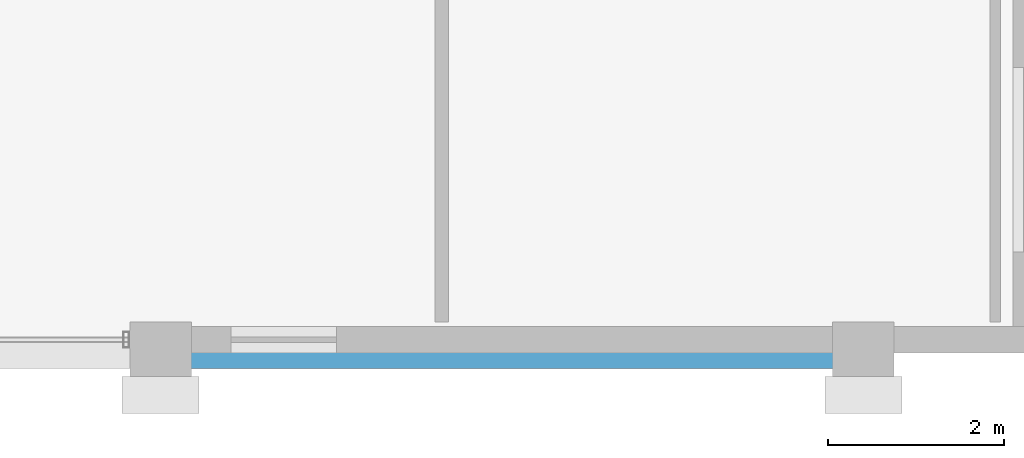
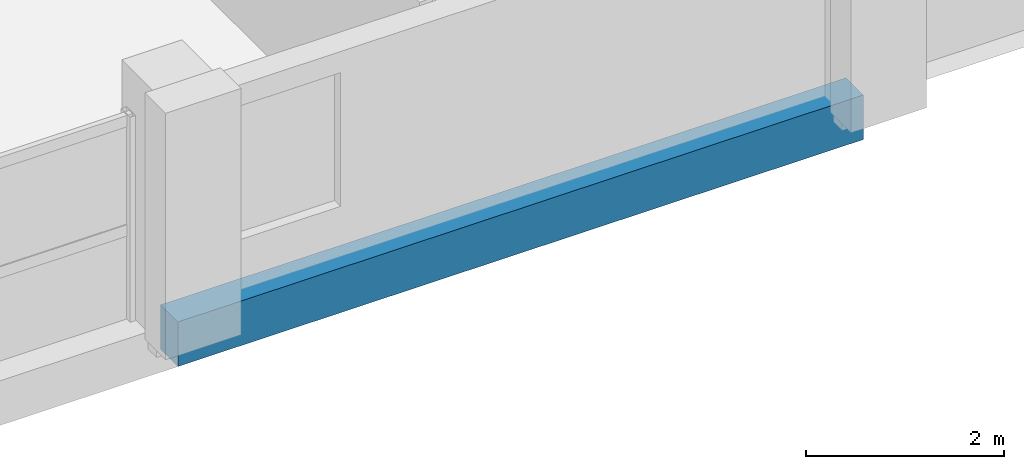
# One storey, part 10 of 24: 1 beam.
"""IFC4 building model written with IfcOpenShell, lengths in metres."""

from ifc_helpers import new_model, si_unit, direction, frame, origin, origin_2d, place, context, subcontext, project, spatial, rectangle, extrude, material, material_profile, profile_set, type_object, element, save


model = new_model("IFC4")

# Units and contexts
model_context = context("Model", 3, precision=1e-05, world=origin(), true_north=direction((0.0, 1.0)))
body_context = subcontext(model_context, "Body", "Model", "MODEL_VIEW")
ifc_project = project(units=[si_unit("LENGTHUNIT", "METRE"), si_unit("AREAUNIT", "SQUARE_METRE"), si_unit("VOLUMEUNIT", "CUBIC_METRE"), si_unit("PLANEANGLEUNIT", "RADIAN"), si_unit("MASSUNIT", "GRAM", prefix="KILO")], contexts=[model_context])

# Site, building, storey
site_placement = place(None, origin())
site = spatial("IfcSite", under=ifc_project, at=site_placement, CompositionType="ELEMENT")
building_placement = place(site_placement, origin())
building = spatial("IfcBuilding", under=site, at=building_placement, Name="Akrevak Sports Hall", CompositionType="ELEMENT")
storey_placement = place(building_placement, frame((0.0, 0.0, 60.050048828125)))
storey = spatial("IfcBuildingStorey", under=building, at=storey_placement, Name="L15", CompositionType="ELEMENT", Elevation=60.050048828125)

# Beam
ifc_material = material(Name="Concrete C40/50", Category="concrete")
ifc_material_profile = material_profile(ifc_material, rectangle(XDim=0.35009765625, YDim=0.550048828125, at=origin_2d()), Name="BM 350x550", Category="concrete")
ifc_profile_set = profile_set([ifc_material_profile], Name="Concrete C40/50")
beam_type = type_object("IfcBeamType", Name="STR-BM-RC350x550", PredefinedType="BEAM", material=ifc_profile_set)
beam_placement = place(storey_placement, frame((92.0, 35.39990234375, -0.275146484375), z_axis=(1.0, 0.0, 0.0), x_axis=(0.0, 1.0, 0.0)))
element("IfcBeam", 1, at=beam_placement, inside=storey, type_object=beam_type, Name="Girder F/13-14 (L15)", PredefinedType="BEAM", context=body_context, shape_type="SweptSolid", body=[
    extrude(rectangle(XDim=0.35009765625, YDim=0.550048828125, at=origin_2d()), origin(), (0.0, 0.0, 1.0), 8.0),
])

save(model, "model.ifc")
